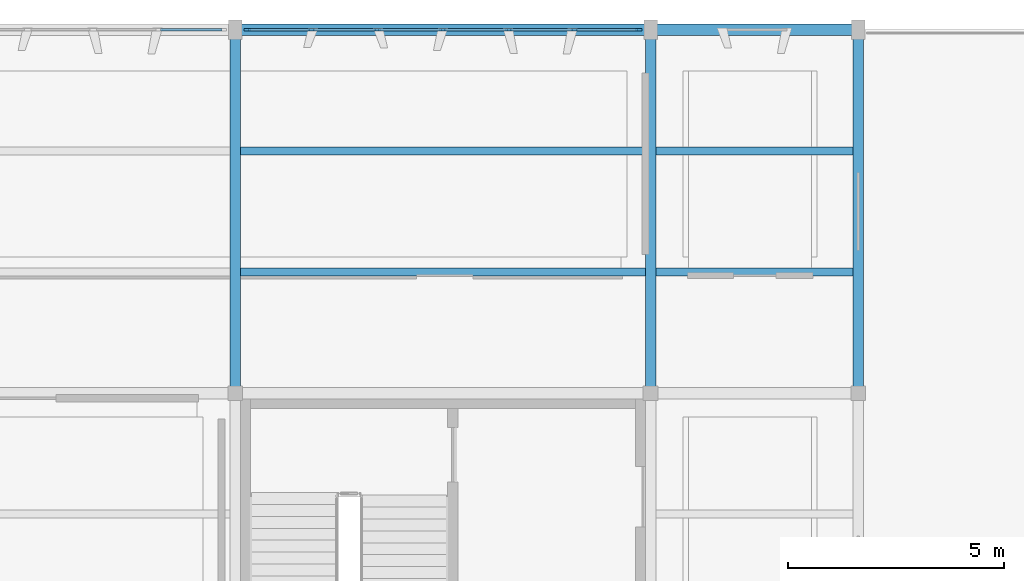
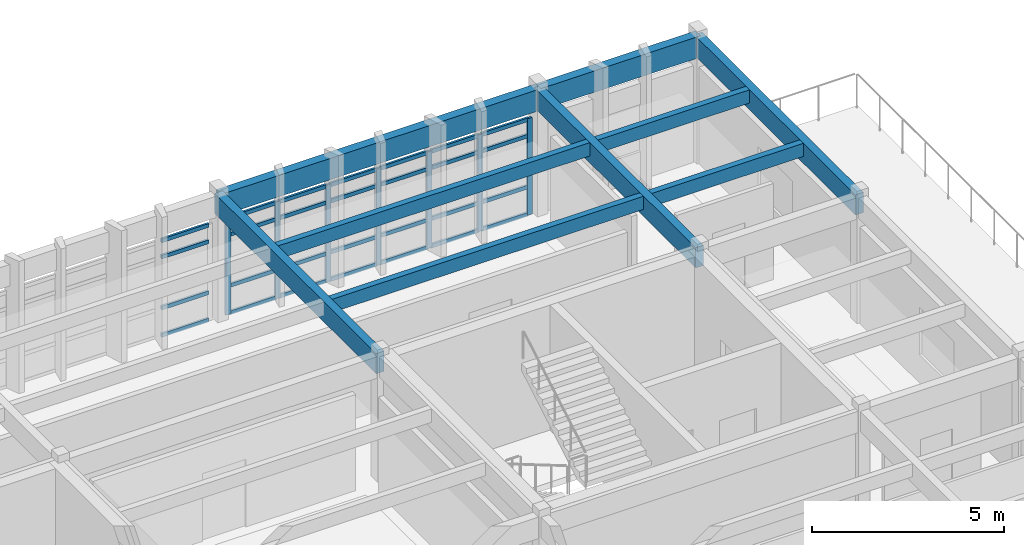
# One storey, part 5 of 14: 35 members, 9 beams, 2 elements without a shape of their own.
"""IFC4 building model written with IfcOpenShell, lengths in metres."""

from ifc_helpers import new_model, si_unit, direction, frame, origin, origin_2d, place, context, subcontext, project, spatial, rectangle, extrude, material, layer, layer_set, material_profile, profile_set, type_object, element, aggregate, save


model = new_model("IFC4")

# Units and contexts
model_context = context("Model", 3, precision=1e-05, world=origin(), true_north=direction((0.0, 1.0)))
body_context = subcontext(model_context, "Body", "Model", "MODEL_VIEW")
ifc_project = project(units=[si_unit("LENGTHUNIT", "METRE"), si_unit("AREAUNIT", "SQUARE_METRE"), si_unit("VOLUMEUNIT", "CUBIC_METRE"), si_unit("PLANEANGLEUNIT", "RADIAN"), si_unit("MASSUNIT", "GRAM", prefix="KILO")], contexts=[model_context])

# Site, building, storey
site_placement = place(None, origin())
site = spatial("IfcSite", under=ifc_project, at=site_placement, CompositionType="ELEMENT")
building_placement = place(site_placement, origin())
building = spatial("IfcBuilding", under=site, at=building_placement, Name="Kolvemor Railside Polytechnic", CompositionType="ELEMENT")
storey_placement = place(building_placement, frame((0.0, 0.0, 22.800048828125)))
storey = spatial("IfcBuildingStorey", under=building, at=storey_placement, Name="L05", CompositionType="ELEMENT", Elevation=22.800048828125)

# Beams
ifc_material_1 = material(Name="Glulam GL28h", Category="wood")
ifc_material_profile_1 = material_profile(ifc_material_1, rectangle(XDim=0.264892578125, YDim=0.679931640625, at=origin_2d()), Name="GL265x680")
ifc_profile_set_1 = profile_set([ifc_material_profile_1], Name="Glulam GL28h")
beam_type_1 = type_object("IfcBeamType", Name="BM-GL-GIRD2", PredefinedType="BEAM", material=ifc_profile_set_1)
beam_1_placement = place(storey_placement, frame((105.60009765625, 38.39990234375, 3.6298828125), z_axis=(1.0, 0.0, 0.0), x_axis=(0.0, 1.0, 0.0)))
element("IfcBeam", 1, at=beam_1_placement, inside=storey, type_object=beam_type_1, Name="Primary Girder L06-GX 1657", PredefinedType="BEAM", context=body_context, shape_type="SweptSolid", body=[
    extrude(rectangle(XDim=0.264892578125, YDim=0.679931640625, at=origin_2d()), origin(), (0.0, 0.0, 1.0), 9.599853515625),
])
beam_2_placement = place(storey_placement, frame((115.199951171875, 38.39990234375, 3.6298828125), z_axis=(1.0, 0.0, 0.0), x_axis=(0.0, 1.0, 0.0)))
element("IfcBeam", 2, at=beam_2_placement, inside=storey, type_object=beam_type_1, Name="Primary Girder L06-GX 1658", PredefinedType="BEAM", context=body_context, shape_type="SweptSolid", body=[
    extrude(rectangle(XDim=0.264892578125, YDim=0.679931640625, at=origin_2d()), origin(), (0.0, 0.0, 1.0), 4.800048828125),
])
ifc_material_2 = material(Name="Glulam GL28h", Category="wood")
ifc_material_profile_2 = material_profile(ifc_material_2, rectangle(XDim=0.239990234375, YDim=0.639892578125, at=origin_2d()), Name="GL240x640")
ifc_profile_set_2 = profile_set([ifc_material_profile_2], Name="Glulam GL28h")
beam_type_2 = type_object("IfcBeamType", Name="BM-GL-GIRD5", PredefinedType="BEAM", material=ifc_profile_set_2)
for number, where, z_axis, x_axis, name in (
    (3, (105.60009765625, 30.0, 3.64990234375), (0.0, 1.0, 0.0), (-1.0, 0.0, 0.0), "Primary Girder L06-GY 1676"),
    (4, (115.199951171875, 30.0, 3.64990234375), (0.0, 1.0, 0.0), (-1.0, 0.0, 0.0), "Primary Girder L06-GY 1679"),
    (5, (120.0, 30.0, 3.64990234375), (0.0, 1.0, 0.0), (-1.0, 0.0, 0.0), "Primary Girder L06-GY 1682"),
):
    element("IfcBeam", number, at=place(storey_placement, frame(where, z_axis=z_axis, x_axis=x_axis)), inside=storey, type_object=beam_type_2, Name=name, PredefinedType="BEAM", context=body_context, shape_type="SweptSolid", body=[
        extrude(rectangle(XDim=0.239990234375, YDim=0.639892578125, at=origin_2d()), origin(), (0.0, 0.0, 1.0), 8.39990234375),
    ])
ifc_material_3 = material(Name="Glulam GL28h", Category="wood")
ifc_material_profile_3 = material_profile(ifc_material_3, rectangle(XDim=0.18505859375, YDim=0.419921875, at=origin_2d()), Name="GL185x420")
ifc_profile_set_3 = profile_set([ifc_material_profile_3], Name="Glulam GL28h")
beam_type_3 = type_object("IfcBeamType", Name="BM-GL-JST4", PredefinedType="JOIST", material=ifc_profile_set_3)
for number, where, z_axis, x_axis, name in (
    (6, (105.719970703125, 32.800048828125, 3.760009765625), (1.0, 0.0, 0.0), (0.0, 1.0, 0.0), "Floor Joist L06-J1711"),
    (7, (105.719970703125, 35.60009765625, 3.760009765625), (1.0, 0.0, 0.0), (0.0, 1.0, 0.0), "Floor Joist L06-J1712"),
):
    element("IfcBeam", number, at=place(storey_placement, frame(where, z_axis=z_axis, x_axis=x_axis)), inside=storey, type_object=beam_type_3, Name=name, PredefinedType="JOIST", context=body_context, shape_type="SweptSolid", body=[
        extrude(rectangle(XDim=0.18505859375, YDim=0.419921875, at=origin_2d()), origin(), (0.0, 0.0, 1.0), 9.360107421875),
    ])
for number, where, z_axis, x_axis, name in (
    (8, (115.320068359375, 32.800048828125, 3.760009765625), (1.0, 0.0, 0.0), (0.0, 1.0, 0.0), "Floor Joist L06-J1717"),
    (9, (115.320068359375, 35.60009765625, 3.760009765625), (1.0, 0.0, 0.0), (0.0, 1.0, 0.0), "Floor Joist L06-J1718"),
):
    element("IfcBeam", number, at=place(storey_placement, frame(where, z_axis=z_axis, x_axis=x_axis)), inside=storey, type_object=beam_type_3, Name=name, PredefinedType="JOIST", context=body_context, shape_type="SweptSolid", body=[
        extrude(rectangle(XDim=0.18505859375, YDim=0.419921875, at=origin_2d()), origin(), (0.0, 0.0, 1.0), 4.559814453125),
    ])

# Curtain wall, members
ifc_material_4 = material(Name="Anodised marine aluminium and laminated low-E glass", Category="aluminium")
ifc_layer = layer(ifc_material_4, 0.179931640625, Name="CW-UNIT-STD")
ifc_layer_set = layer_set([ifc_layer], Name="Anodised marine aluminium and laminated low-E glass")
curtain_wall_type = type_object("IfcCurtainWallType", Name="CW-UNIT-STD", PredefinedType="USERDEFINED", material=ifc_layer_set)
curtain_wall_1_placement = place(storey_placement, origin())
curtain_wall_1 = element("IfcCurtainWall", 10, at=curtain_wall_1_placement, inside=storey, type_object=curtain_wall_type, Name="Curtain Wall L05-140", ObjectType="UNITISED CURTAIN WALL", PredefinedType="USERDEFINED")
ifc_material_5 = material(Name="Anodised marine aluminium 6063-T6", Category="aluminium")
ifc_material_profile_4 = material_profile(ifc_material_5, rectangle(XDim=0.06494140625, YDim=0.14990234375, at=origin_2d()), Name="CW-MUL-65x150")
ifc_profile_set_4 = profile_set([ifc_material_profile_4], Name="Anodised marine aluminium 6063-T6")
member_type_1 = type_object("IfcMemberType", Name="CWM-65x150", PredefinedType="MULLION", material=ifc_profile_set_4)
member_1_placement = place(storey_placement, frame((114.927490234375, 38.39990234375, 0.0), z_axis=(0.0, 0.0, 1.0), x_axis=(0.0, -1.0, 0.0)))
member_1 = element("IfcMember", 11, at=member_1_placement, type_object=member_type_1, Name="CW-STD mullion 1", PredefinedType="MULLION", context=body_context, shape_type="SweptSolid", body=[
    extrude(rectangle(XDim=0.06494140625, YDim=0.14990234375, at=origin_2d()), origin(), (0.0, 0.0, 1.0), 3.070068359375),
])
member_2_placement = place(storey_placement, frame((113.43994140625, 38.39990234375, 0.0), z_axis=(0.0, 0.0, 1.0), x_axis=(0.0, -1.0, 0.0)))
member_2 = element("IfcMember", 12, at=member_2_placement, type_object=member_type_1, Name="CW-STD mullion 2", PredefinedType="MULLION", context=body_context, shape_type="SweptSolid", body=[
    extrude(rectangle(XDim=0.06494140625, YDim=0.14990234375, at=origin_2d()), origin(), (0.0, 0.0, 1.0), 3.070068359375),
])
member_3_placement = place(storey_placement, frame((111.919921875, 38.39990234375, 0.0), z_axis=(0.0, 0.0, 1.0), x_axis=(0.0, -1.0, 0.0)))
member_3 = element("IfcMember", 13, at=member_3_placement, type_object=member_type_1, Name="CW-STD mullion 3", PredefinedType="MULLION", context=body_context, shape_type="SweptSolid", body=[
    extrude(rectangle(XDim=0.06494140625, YDim=0.14990234375, at=origin_2d()), origin(), (0.0, 0.0, 1.0), 3.070068359375),
])
member_4_placement = place(storey_placement, frame((110.39990234375, 38.39990234375, 0.0), z_axis=(0.0, 0.0, 1.0), x_axis=(0.0, -1.0, 0.0)))
member_4 = element("IfcMember", 14, at=member_4_placement, type_object=member_type_1, Name="CW-STD mullion 4", PredefinedType="MULLION", context=body_context, shape_type="SweptSolid", body=[
    extrude(rectangle(XDim=0.06494140625, YDim=0.14990234375, at=origin_2d()), origin(), (0.0, 0.0, 1.0), 3.070068359375),
])
member_5_placement = place(storey_placement, frame((108.8798828125, 38.39990234375, 0.0), z_axis=(0.0, 0.0, 1.0), x_axis=(0.0, -1.0, 0.0)))
member_5 = element("IfcMember", 15, at=member_5_placement, type_object=member_type_1, Name="CW-STD mullion 5", PredefinedType="MULLION", context=body_context, shape_type="SweptSolid", body=[
    extrude(rectangle(XDim=0.06494140625, YDim=0.14990234375, at=origin_2d()), origin(), (0.0, 0.0, 1.0), 3.070068359375),
])
member_6_placement = place(storey_placement, frame((107.360107421875, 38.39990234375, 0.0), z_axis=(0.0, 0.0, 1.0), x_axis=(0.0, -1.0, 0.0)))
member_6 = element("IfcMember", 16, at=member_6_placement, type_object=member_type_1, Name="CW-STD mullion 6", PredefinedType="MULLION", context=body_context, shape_type="SweptSolid", body=[
    extrude(rectangle(XDim=0.06494140625, YDim=0.14990234375, at=origin_2d()), origin(), (0.0, 0.0, 1.0), 3.070068359375),
])
member_7_placement = place(storey_placement, frame((105.87255859375, 38.39990234375, 0.0), z_axis=(0.0, 0.0, 1.0), x_axis=(0.0, -1.0, 0.0)))
member_7 = element("IfcMember", 17, at=member_7_placement, type_object=member_type_1, Name="CW-STD mullion 7", PredefinedType="MULLION", context=body_context, shape_type="SweptSolid", body=[
    extrude(rectangle(XDim=0.06494140625, YDim=0.14990234375, at=origin_2d()), origin(), (0.0, 0.0, 1.0), 3.070068359375),
])

curtain_wall_2_placement = place(storey_placement, origin())
curtain_wall_2 = element("IfcCurtainWall", 18, at=curtain_wall_2_placement, inside=storey, type_object=curtain_wall_type, Name="Curtain Wall L05-139", ObjectType="UNITISED CURTAIN WALL", PredefinedType="USERDEFINED")
ifc_material_6 = material(Name="Anodised marine aluminium 6063-T6", Category="aluminium")
ifc_material_profile_5 = material_profile(ifc_material_6, rectangle(XDim=0.06494140625, YDim=0.1201171875, at=origin_2d()), Name="CW-TRN-65x120")
ifc_profile_set_5 = profile_set([ifc_material_profile_5], Name="Anodised marine aluminium 6063-T6")
member_type_2 = type_object("IfcMemberType", Name="CWT-65x120", PredefinedType="USERDEFINED", material=ifc_profile_set_5)
member_8_placement = place(storey_placement, frame((105.294921875, 38.39990234375, 0.032470703125), z_axis=(-1.0, 0.0, 0.0), x_axis=(0.0, -1.0, 0.0)))
member_8 = element("IfcMember", 19, at=member_8_placement, type_object=member_type_2, Name="CW-STD transom 1.1", ObjectType="TRANSOM", PredefinedType="USERDEFINED", context=body_context, shape_type="SweptSolid", body=[
    extrude(rectangle(XDim=0.06494140625, YDim=0.1201171875, at=origin_2d()), origin(), (0.0, 0.0, 1.0), 1.42236328125),
])
member_9_placement = place(storey_placement, frame((105.294921875, 38.39990234375, 0.89990234375), z_axis=(-1.0, 0.0, 0.0), x_axis=(0.0, -1.0, 0.0)))
member_9 = element("IfcMember", 20, at=member_9_placement, type_object=member_type_2, Name="CW-STD transom 1.2", ObjectType="TRANSOM", PredefinedType="USERDEFINED", context=body_context, shape_type="SweptSolid", body=[
    extrude(rectangle(XDim=0.06494140625, YDim=0.1201171875, at=origin_2d()), origin(), (0.0, 0.0, 1.0), 1.42236328125),
])
member_10_placement = place(storey_placement, frame((105.294921875, 38.39990234375, 2.52001953125), z_axis=(-1.0, 0.0, 0.0), x_axis=(0.0, -1.0, 0.0)))
member_10 = element("IfcMember", 21, at=member_10_placement, type_object=member_type_2, Name="CW-STD transom 1.3", ObjectType="TRANSOM", PredefinedType="USERDEFINED", context=body_context, shape_type="SweptSolid", body=[
    extrude(rectangle(XDim=0.06494140625, YDim=0.1201171875, at=origin_2d()), origin(), (0.0, 0.0, 1.0), 1.42236328125),
])
member_11_placement = place(storey_placement, frame((105.294921875, 38.39990234375, 3.037353515625), z_axis=(-1.0, 0.0, 0.0), x_axis=(0.0, -1.0, 0.0)))
member_11 = element("IfcMember", 22, at=member_11_placement, type_object=member_type_2, Name="CW-STD transom 1.4", ObjectType="TRANSOM", PredefinedType="USERDEFINED", context=body_context, shape_type="SweptSolid", body=[
    extrude(rectangle(XDim=0.06494140625, YDim=0.1201171875, at=origin_2d()), origin(), (0.0, 0.0, 1.0), 1.42236328125),
])
aggregate(curtain_wall_2, [member_8, member_9, member_10, member_11])

# Member
member_12_placement = place(storey_placement, frame((114.89501953125, 38.39990234375, 0.032470703125), z_axis=(-1.0, 0.0, 0.0), x_axis=(0.0, -1.0, 0.0)))
member_12 = element("IfcMember", 23, at=member_12_placement, type_object=member_type_2, Name="CW-STD transom 1.1", ObjectType="TRANSOM", PredefinedType="USERDEFINED", context=body_context, shape_type="SweptSolid", body=[
    extrude(rectangle(XDim=0.06494140625, YDim=0.1201171875, at=origin_2d()), origin(), (0.0, 0.0, 1.0), 1.422607421875),
])

member_13_placement = place(storey_placement, frame((114.89501953125, 38.39990234375, 0.89990234375), z_axis=(-1.0, 0.0, 0.0), x_axis=(0.0, -1.0, 0.0)))
member_13 = element("IfcMember", 24, at=member_13_placement, type_object=member_type_2, Name="CW-STD transom 1.2", ObjectType="TRANSOM", PredefinedType="USERDEFINED", context=body_context, shape_type="SweptSolid", body=[
    extrude(rectangle(XDim=0.06494140625, YDim=0.1201171875, at=origin_2d()), origin(), (0.0, 0.0, 1.0), 1.422607421875),
])

member_14_placement = place(storey_placement, frame((114.89501953125, 38.39990234375, 2.52001953125), z_axis=(-1.0, 0.0, 0.0), x_axis=(0.0, -1.0, 0.0)))
member_14 = element("IfcMember", 25, at=member_14_placement, type_object=member_type_2, Name="CW-STD transom 1.3", ObjectType="TRANSOM", PredefinedType="USERDEFINED", context=body_context, shape_type="SweptSolid", body=[
    extrude(rectangle(XDim=0.06494140625, YDim=0.1201171875, at=origin_2d()), origin(), (0.0, 0.0, 1.0), 1.422607421875),
])

member_15_placement = place(storey_placement, frame((114.89501953125, 38.39990234375, 3.037353515625), z_axis=(-1.0, 0.0, 0.0), x_axis=(0.0, -1.0, 0.0)))
member_15 = element("IfcMember", 26, at=member_15_placement, type_object=member_type_2, Name="CW-STD transom 1.4", ObjectType="TRANSOM", PredefinedType="USERDEFINED", context=body_context, shape_type="SweptSolid", body=[
    extrude(rectangle(XDim=0.06494140625, YDim=0.1201171875, at=origin_2d()), origin(), (0.0, 0.0, 1.0), 1.422607421875),
])

member_16_placement = place(storey_placement, frame((113.407470703125, 38.39990234375, 0.032470703125), z_axis=(-1.0, 0.0, 0.0), x_axis=(0.0, -1.0, 0.0)))
member_16 = element("IfcMember", 27, at=member_16_placement, type_object=member_type_2, Name="CW-STD transom 2.1", ObjectType="TRANSOM", PredefinedType="USERDEFINED", context=body_context, shape_type="SweptSolid", body=[
    extrude(rectangle(XDim=0.06494140625, YDim=0.1201171875, at=origin_2d()), origin(), (0.0, 0.0, 1.0), 1.455078125),
])

member_17_placement = place(storey_placement, frame((113.407470703125, 38.39990234375, 0.89990234375), z_axis=(-1.0, 0.0, 0.0), x_axis=(0.0, -1.0, 0.0)))
member_17 = element("IfcMember", 28, at=member_17_placement, type_object=member_type_2, Name="CW-STD transom 2.2", ObjectType="TRANSOM", PredefinedType="USERDEFINED", context=body_context, shape_type="SweptSolid", body=[
    extrude(rectangle(XDim=0.06494140625, YDim=0.1201171875, at=origin_2d()), origin(), (0.0, 0.0, 1.0), 1.455078125),
])

member_18_placement = place(storey_placement, frame((113.407470703125, 38.39990234375, 2.52001953125), z_axis=(-1.0, 0.0, 0.0), x_axis=(0.0, -1.0, 0.0)))
member_18 = element("IfcMember", 29, at=member_18_placement, type_object=member_type_2, Name="CW-STD transom 2.3", ObjectType="TRANSOM", PredefinedType="USERDEFINED", context=body_context, shape_type="SweptSolid", body=[
    extrude(rectangle(XDim=0.06494140625, YDim=0.1201171875, at=origin_2d()), origin(), (0.0, 0.0, 1.0), 1.455078125),
])

member_19_placement = place(storey_placement, frame((113.407470703125, 38.39990234375, 3.037353515625), z_axis=(-1.0, 0.0, 0.0), x_axis=(0.0, -1.0, 0.0)))
member_19 = element("IfcMember", 30, at=member_19_placement, type_object=member_type_2, Name="CW-STD transom 2.4", ObjectType="TRANSOM", PredefinedType="USERDEFINED", context=body_context, shape_type="SweptSolid", body=[
    extrude(rectangle(XDim=0.06494140625, YDim=0.1201171875, at=origin_2d()), origin(), (0.0, 0.0, 1.0), 1.455078125),
])

member_20_placement = place(storey_placement, frame((111.887451171875, 38.39990234375, 0.032470703125), z_axis=(-1.0, 0.0, 0.0), x_axis=(0.0, -1.0, 0.0)))
member_20 = element("IfcMember", 31, at=member_20_placement, type_object=member_type_2, Name="CW-STD transom 3.1", ObjectType="TRANSOM", PredefinedType="USERDEFINED", context=body_context, shape_type="SweptSolid", body=[
    extrude(rectangle(XDim=0.06494140625, YDim=0.1201171875, at=origin_2d()), origin(), (0.0, 0.0, 1.0), 1.454833984375),
])

member_21_placement = place(storey_placement, frame((111.887451171875, 38.39990234375, 0.89990234375), z_axis=(-1.0, 0.0, 0.0), x_axis=(0.0, -1.0, 0.0)))
member_21 = element("IfcMember", 32, at=member_21_placement, type_object=member_type_2, Name="CW-STD transom 3.2", ObjectType="TRANSOM", PredefinedType="USERDEFINED", context=body_context, shape_type="SweptSolid", body=[
    extrude(rectangle(XDim=0.06494140625, YDim=0.1201171875, at=origin_2d()), origin(), (0.0, 0.0, 1.0), 1.454833984375),
])

member_22_placement = place(storey_placement, frame((111.887451171875, 38.39990234375, 2.52001953125), z_axis=(-1.0, 0.0, 0.0), x_axis=(0.0, -1.0, 0.0)))
member_22 = element("IfcMember", 33, at=member_22_placement, type_object=member_type_2, Name="CW-STD transom 3.3", ObjectType="TRANSOM", PredefinedType="USERDEFINED", context=body_context, shape_type="SweptSolid", body=[
    extrude(rectangle(XDim=0.06494140625, YDim=0.1201171875, at=origin_2d()), origin(), (0.0, 0.0, 1.0), 1.454833984375),
])

member_23_placement = place(storey_placement, frame((111.887451171875, 38.39990234375, 3.037353515625), z_axis=(-1.0, 0.0, 0.0), x_axis=(0.0, -1.0, 0.0)))
member_23 = element("IfcMember", 34, at=member_23_placement, type_object=member_type_2, Name="CW-STD transom 3.4", ObjectType="TRANSOM", PredefinedType="USERDEFINED", context=body_context, shape_type="SweptSolid", body=[
    extrude(rectangle(XDim=0.06494140625, YDim=0.1201171875, at=origin_2d()), origin(), (0.0, 0.0, 1.0), 1.454833984375),
])

member_24_placement = place(storey_placement, frame((110.367431640625, 38.39990234375, 0.032470703125), z_axis=(-1.0, 0.0, 0.0), x_axis=(0.0, -1.0, 0.0)))
member_24 = element("IfcMember", 35, at=member_24_placement, type_object=member_type_2, Name="CW-STD transom 4.1", ObjectType="TRANSOM", PredefinedType="USERDEFINED", context=body_context, shape_type="SweptSolid", body=[
    extrude(rectangle(XDim=0.06494140625, YDim=0.1201171875, at=origin_2d()), origin(), (0.0, 0.0, 1.0), 1.454833984375),
])

member_25_placement = place(storey_placement, frame((110.367431640625, 38.39990234375, 0.89990234375), z_axis=(-1.0, 0.0, 0.0), x_axis=(0.0, -1.0, 0.0)))
member_25 = element("IfcMember", 36, at=member_25_placement, type_object=member_type_2, Name="CW-STD transom 4.2", ObjectType="TRANSOM", PredefinedType="USERDEFINED", context=body_context, shape_type="SweptSolid", body=[
    extrude(rectangle(XDim=0.06494140625, YDim=0.1201171875, at=origin_2d()), origin(), (0.0, 0.0, 1.0), 1.454833984375),
])

member_26_placement = place(storey_placement, frame((110.367431640625, 38.39990234375, 2.52001953125), z_axis=(-1.0, 0.0, 0.0), x_axis=(0.0, -1.0, 0.0)))
member_26 = element("IfcMember", 37, at=member_26_placement, type_object=member_type_2, Name="CW-STD transom 4.3", ObjectType="TRANSOM", PredefinedType="USERDEFINED", context=body_context, shape_type="SweptSolid", body=[
    extrude(rectangle(XDim=0.06494140625, YDim=0.1201171875, at=origin_2d()), origin(), (0.0, 0.0, 1.0), 1.454833984375),
])

member_27_placement = place(storey_placement, frame((110.367431640625, 38.39990234375, 3.037353515625), z_axis=(-1.0, 0.0, 0.0), x_axis=(0.0, -1.0, 0.0)))
member_27 = element("IfcMember", 38, at=member_27_placement, type_object=member_type_2, Name="CW-STD transom 4.4", ObjectType="TRANSOM", PredefinedType="USERDEFINED", context=body_context, shape_type="SweptSolid", body=[
    extrude(rectangle(XDim=0.06494140625, YDim=0.1201171875, at=origin_2d()), origin(), (0.0, 0.0, 1.0), 1.454833984375),
])

member_28_placement = place(storey_placement, frame((108.847412109375, 38.39990234375, 0.032470703125), z_axis=(-1.0, 0.0, 0.0), x_axis=(0.0, -1.0, 0.0)))
member_28 = element("IfcMember", 39, at=member_28_placement, type_object=member_type_2, Name="CW-STD transom 5.1", ObjectType="TRANSOM", PredefinedType="USERDEFINED", context=body_context, shape_type="SweptSolid", body=[
    extrude(rectangle(XDim=0.06494140625, YDim=0.1201171875, at=origin_2d()), origin(), (0.0, 0.0, 1.0), 1.454833984375),
])

member_29_placement = place(storey_placement, frame((108.847412109375, 38.39990234375, 0.89990234375), z_axis=(-1.0, 0.0, 0.0), x_axis=(0.0, -1.0, 0.0)))
member_29 = element("IfcMember", 40, at=member_29_placement, type_object=member_type_2, Name="CW-STD transom 5.2", ObjectType="TRANSOM", PredefinedType="USERDEFINED", context=body_context, shape_type="SweptSolid", body=[
    extrude(rectangle(XDim=0.06494140625, YDim=0.1201171875, at=origin_2d()), origin(), (0.0, 0.0, 1.0), 1.454833984375),
])

member_30_placement = place(storey_placement, frame((108.847412109375, 38.39990234375, 2.52001953125), z_axis=(-1.0, 0.0, 0.0), x_axis=(0.0, -1.0, 0.0)))
member_30 = element("IfcMember", 41, at=member_30_placement, type_object=member_type_2, Name="CW-STD transom 5.3", ObjectType="TRANSOM", PredefinedType="USERDEFINED", context=body_context, shape_type="SweptSolid", body=[
    extrude(rectangle(XDim=0.06494140625, YDim=0.1201171875, at=origin_2d()), origin(), (0.0, 0.0, 1.0), 1.454833984375),
])

member_31_placement = place(storey_placement, frame((108.847412109375, 38.39990234375, 3.037353515625), z_axis=(-1.0, 0.0, 0.0), x_axis=(0.0, -1.0, 0.0)))
member_31 = element("IfcMember", 42, at=member_31_placement, type_object=member_type_2, Name="CW-STD transom 5.4", ObjectType="TRANSOM", PredefinedType="USERDEFINED", context=body_context, shape_type="SweptSolid", body=[
    extrude(rectangle(XDim=0.06494140625, YDim=0.1201171875, at=origin_2d()), origin(), (0.0, 0.0, 1.0), 1.454833984375),
])

member_32_placement = place(storey_placement, frame((107.327392578125, 38.39990234375, 0.032470703125), z_axis=(-1.0, 0.0, 0.0), x_axis=(0.0, -1.0, 0.0)))
member_32 = element("IfcMember", 43, at=member_32_placement, type_object=member_type_2, Name="CW-STD transom 6.1", ObjectType="TRANSOM", PredefinedType="USERDEFINED", context=body_context, shape_type="SweptSolid", body=[
    extrude(rectangle(XDim=0.06494140625, YDim=0.1201171875, at=origin_2d()), origin(), (0.0, 0.0, 1.0), 1.42236328125),
])

member_33_placement = place(storey_placement, frame((107.327392578125, 38.39990234375, 0.89990234375), z_axis=(-1.0, 0.0, 0.0), x_axis=(0.0, -1.0, 0.0)))
member_33 = element("IfcMember", 44, at=member_33_placement, type_object=member_type_2, Name="CW-STD transom 6.2", ObjectType="TRANSOM", PredefinedType="USERDEFINED", context=body_context, shape_type="SweptSolid", body=[
    extrude(rectangle(XDim=0.06494140625, YDim=0.1201171875, at=origin_2d()), origin(), (0.0, 0.0, 1.0), 1.42236328125),
])

member_34_placement = place(storey_placement, frame((107.327392578125, 38.39990234375, 2.52001953125), z_axis=(-1.0, 0.0, 0.0), x_axis=(0.0, -1.0, 0.0)))
member_34 = element("IfcMember", 45, at=member_34_placement, type_object=member_type_2, Name="CW-STD transom 6.3", ObjectType="TRANSOM", PredefinedType="USERDEFINED", context=body_context, shape_type="SweptSolid", body=[
    extrude(rectangle(XDim=0.06494140625, YDim=0.1201171875, at=origin_2d()), origin(), (0.0, 0.0, 1.0), 1.42236328125),
])

member_35_placement = place(storey_placement, frame((107.327392578125, 38.39990234375, 3.037353515625), z_axis=(-1.0, 0.0, 0.0), x_axis=(0.0, -1.0, 0.0)))
member_35 = element("IfcMember", 46, at=member_35_placement, type_object=member_type_2, Name="CW-STD transom 6.4", ObjectType="TRANSOM", PredefinedType="USERDEFINED", context=body_context, shape_type="SweptSolid", body=[
    extrude(rectangle(XDim=0.06494140625, YDim=0.1201171875, at=origin_2d()), origin(), (0.0, 0.0, 1.0), 1.42236328125),
])

aggregate(curtain_wall_1, [member_1, member_2, member_3, member_4, member_5, member_6, member_7, member_12, member_13, member_14, member_15, member_16, member_17, member_18, member_19, member_20, member_21, member_22, member_23, member_24, member_25, member_26, member_27, member_28, member_29, member_30, member_31, member_32, member_33, member_34, member_35])

save(model, "model.ifc")
